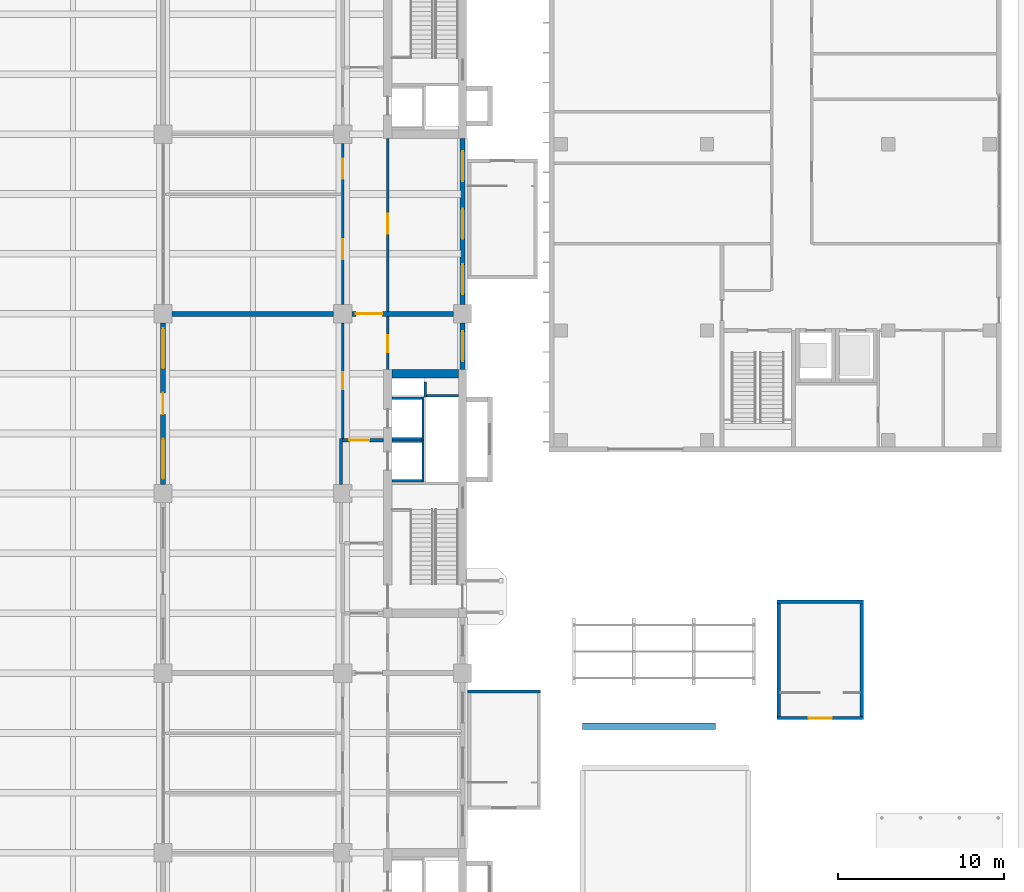
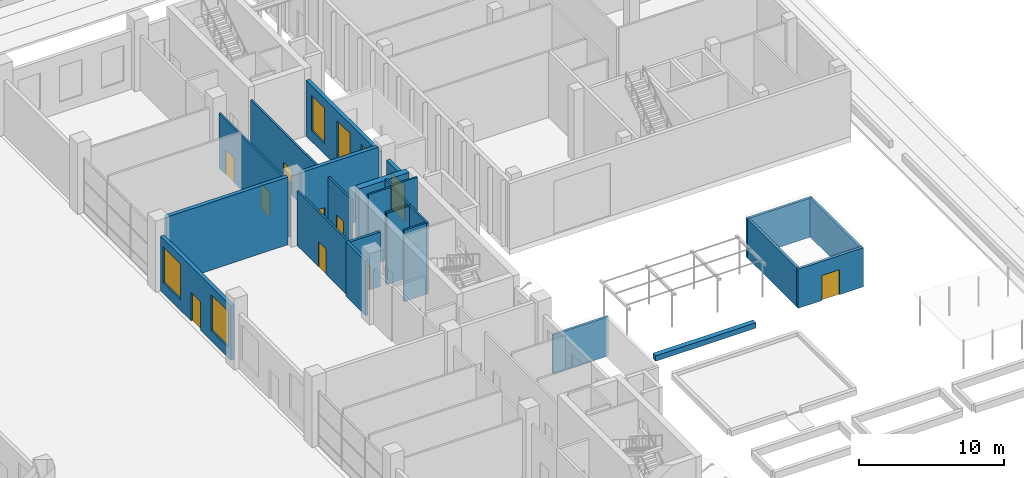
# One storey, part 53 of 71: 26 walls, 9 doors, 6 windows, 15 openings.
"""IFC4 building model written with IfcOpenShell, lengths in metres."""

from ifc_helpers import new_model, si_unit, direction, frame, frame_2d, origin, place, context, subcontext, project, spatial, rectangle, extrude, material, layer, layer_set, type_object, element, fill, save


model = new_model("IFC4")

# Units and contexts
model_context = context("Model", 3, precision=1e-05, world=origin(), true_north=direction((0.0, 1.0)))
body_context = subcontext(model_context, "Body", "Model", "MODEL_VIEW")
ifc_project = project(units=[si_unit("LENGTHUNIT", "METRE"), si_unit("AREAUNIT", "SQUARE_METRE"), si_unit("VOLUMEUNIT", "CUBIC_METRE"), si_unit("PLANEANGLEUNIT", "RADIAN"), si_unit("MASSUNIT", "GRAM", prefix="KILO")], contexts=[model_context])

# Site, building, storey
site_placement = place(None, origin())
site = spatial("IfcSite", under=ifc_project, at=site_placement, CompositionType="ELEMENT")
building_placement = place(site_placement, origin())
building = spatial("IfcBuilding", under=site, at=building_placement, Name="Basin Gate Institute", CompositionType="ELEMENT")
storey_placement = place(building_placement, origin())
storey = spatial("IfcBuildingStorey", under=building, at=storey_placement, Name="L00", CompositionType="ELEMENT", Elevation=0.0)

# Wall, openings, door, windows
ifc_material_1 = material(Name="Fire-resisting board wall assembly")
ifc_layer_1 = layer(ifc_material_1, 0.300048828125)
ifc_layer_set_1 = layer_set([ifc_layer_1], Name="Atrium enclosure wall EW4")
wall_type_1 = type_object("IfcWallType", Name="Atrium enclosure wall EW4", PredefinedType="STANDARD", material=ifc_layer_set_1)
wall_1_placement = place(storey_placement, frame((100.800048828125, 68.050048828125, 0.0), z_axis=(0.0, 0.0, 1.0), x_axis=(0.0, 1.0, 0.0)))
wall_1 = element("IfcWall", 1, at=wall_1_placement, inside=storey, type_object=wall_type_1, material=ifc_layer_set_1, Name="Atrium enclosure wall E wing bay 4 L00", PredefinedType="STANDARD", context=body_context, shape_type="SweptSolid", body=[
    extrude(rectangle(XDim=9.699951171875, YDim=0.300048828125, at=frame_2d((4.85009765625, 0.0))), origin(), (0.0, 0.0, 1.0), 4.60009765625),
])
opening_1_placement = place(wall_1_placement, frame((0.324951171875, 0.0, 0.89990234375)))
opening_1 = element("IfcOpeningElement", 2, at=opening_1_placement, cuts=wall_1, Name="Opening WN5", PredefinedType="OPENING", context=body_context, shape_type="SweptSolid", body=[
    extrude(rectangle(XDim=2.39990234375, YDim=3.0, at=frame_2d((1.199951171875, 1.5))), frame((0.0, 0.16015625, 0.0), z_axis=(0.0, -1.0, 0.0), x_axis=(1.0, 0.0, 0.0)), (0.0, 0.0, 1.0), 0.320068359375),
])
opening_2_placement = place(wall_1_placement, frame((6.97509765625, 0.0, 0.89990234375)))
opening_2 = element("IfcOpeningElement", 3, at=opening_2_placement, cuts=wall_1, Name="Opening WN5", PredefinedType="OPENING", context=body_context, shape_type="SweptSolid", body=[
    extrude(rectangle(XDim=2.39990234375, YDim=3.0, at=frame_2d((1.199951171875, 1.5))), frame((0.0, 0.16015625, 0.0), z_axis=(0.0, -1.0, 0.0), x_axis=(1.0, 0.0, 0.0)), (0.0, 0.0, 1.0), 0.320068359375),
])
opening_3_placement = place(wall_1_placement, frame((4.199951171875, 0.0, 0.0)))
opening_3 = element("IfcOpeningElement", 4, at=opening_3_placement, cuts=wall_1, Name="Opening ED104", PredefinedType="OPENING", context=body_context, shape_type="SweptSolid", body=[
    extrude(rectangle(XDim=1.300048828125, YDim=2.39990234375, at=frame_2d((0.64990234375, 1.199951171875))), frame((0.0, 0.16015625, 0.0), z_axis=(0.0, -1.0, 0.0), x_axis=(1.0, 0.0, 0.0)), (0.0, 0.0, 1.0), 0.320068359375),
])
ifc_material_2 = material(Name="Fire-resisting glazed door in aluminium frame", Category="aluminium")
door_type_1 = type_object("IfcDoorType", Name="Atrium fire door FD60A", OperationType="NOTDEFINED", PredefinedType="DOOR", material=ifc_material_2)
door_1_placement = place(opening_3_placement, frame((1.300048828125, 0.0, 0.0), z_axis=(0.0, 0.0, 1.0), x_axis=(-1.0, 0.0, 0.0)))
door_1 = element("IfcDoor", 5, at=door_1_placement, inside=storey, type_object=door_type_1, material=ifc_material_2, Name="Atrium fire door E wing bay 4", OperationType="SINGLE_SWING_RIGHT", OverallHeight=2.39990234375, OverallWidth=1.300048828125, PredefinedType="DOOR", context=body_context, shape_type="SweptSolid", body=[
    extrude(rectangle(XDim=1.300048828125, YDim=2.39990234375, at=frame_2d((0.64990234375, 1.199951171875))), frame((0.0, 0.02490234375, 0.0), z_axis=(0.0, -1.0, 0.0), x_axis=(1.0, 0.0, 0.0)), (0.0, 0.0, 1.0), 0.050048828125),
])
fill(opening_3, door_1)
ifc_material_3 = material(Name="Fire-resistant glazing in steel-free frame", Category="steel")
window_type_1 = type_object("IfcWindowType", Name="Fire-rated fixed window WN5", PartitioningType="SINGLE_PANEL", PredefinedType="WINDOW", material=ifc_material_3)
window_1_placement = place(opening_1_placement, origin())
window_1 = element("IfcWindow", 6, at=window_1_placement, inside=storey, type_object=window_type_1, material=ifc_material_3, Name="Fire-rated fixed window E wing bay 4 L00", OverallHeight=3.0, OverallWidth=2.39990234375, PartitioningType="SINGLE_PANEL", PredefinedType="WINDOW", context=body_context, shape_type="SweptSolid", body=[
    extrude(rectangle(XDim=2.39990234375, YDim=3.0, at=frame_2d((1.199951171875, 1.5))), frame((0.0, 0.030029296875, 0.0), z_axis=(0.0, -1.0, 0.0), x_axis=(1.0, 0.0, 0.0)), (0.0, 0.0, 1.0), 0.06005859375),
])
fill(opening_1, window_1)
window_2_placement = place(opening_2_placement, origin())
window_2 = element("IfcWindow", 7, at=window_2_placement, inside=storey, type_object=window_type_1, material=ifc_material_3, Name="Fire-rated fixed window E wing bay 4 L00", OverallHeight=3.0, OverallWidth=2.39990234375, PartitioningType="SINGLE_PANEL", PredefinedType="WINDOW", context=body_context, shape_type="SweptSolid", body=[
    extrude(rectangle(XDim=2.39990234375, YDim=3.0, at=frame_2d((1.199951171875, 1.5))), frame((0.0, 0.030029296875, 0.0), z_axis=(0.0, -1.0, 0.0), x_axis=(1.0, 0.0, 0.0)), (0.0, 0.0, 1.0), 0.06005859375),
])
fill(opening_2, window_2)

# Wall, opening, door
ifc_material_4 = material(Name="Fire-rated masonry", Category="masonry")
ifc_layer_2 = layer(ifc_material_4, 0.199951171875)
ifc_layer_set_2 = layer_set([ifc_layer_2], Name="Enclosure wall PW2 200 EI 60")
wall_type_2 = type_object("IfcWallType", Name="Enclosure wall PW2 200 EI 60", PredefinedType="PARTITIONING", material=ifc_layer_set_2)
wall_2_placement = place(storey_placement, frame((114.050048828125, 70.699951171875, 0.0), z_axis=(0.0, 0.0, 1.0), x_axis=(-1.0, 0.0, 0.0)))
wall_2 = element("IfcWall", 8, at=wall_2_placement, inside=storey, type_object=wall_type_2, material=ifc_layer_set_2, Name="Emergency lift lobby wall PW2 L00", PredefinedType="PARTITIONING", context=body_context, shape_type="SweptSolid", body=[
    extrude(rectangle(XDim=2.449951171875, YDim=0.199951171875, at=frame_2d((1.22509765625, 0.0))), origin(), (0.0, 0.0, 1.0), 4.60009765625),
])
opening_4_placement = place(wall_2_placement, frame((0.85009765625, 0.0, 0.0)))
opening_4 = element("IfcOpeningElement", 9, at=opening_4_placement, cuts=wall_2, Name="Opening DR015", PredefinedType="OPENING", context=body_context, shape_type="SweptSolid", body=[
    extrude(rectangle(XDim=1.199951171875, YDim=2.10009765625, at=frame_2d((0.60009765625, 1.050048828125))), frame((0.0, 0.10986328125, 0.0), z_axis=(0.0, -1.0, 0.0), x_axis=(1.0, 0.0, 0.0)), (0.0, 0.0, 1.0), 0.219970703125),
])
ifc_material_5 = material(Name="Steel fire door", Category="steel")
door_type_2 = type_object("IfcDoorType", Name="FD60 Emergency lift lobby door D9", OperationType="NOTDEFINED", PredefinedType="DOOR", material=ifc_material_5)
door_2_placement = place(opening_4_placement, origin())
door_2 = element("IfcDoor", 10, at=door_2_placement, inside=storey, type_object=door_type_2, material=ifc_material_5, Name="Emergency lift lobby door LF2 L00", OperationType="SINGLE_SWING_RIGHT", OverallHeight=2.10009765625, OverallWidth=1.199951171875, PredefinedType="DOOR", context=body_context, shape_type="SweptSolid", body=[
    extrude(rectangle(XDim=1.199951171875, YDim=2.10009765625, at=frame_2d((0.60009765625, 1.050048828125))), frame((0.0, 0.02490234375, 0.0), z_axis=(0.0, -1.0, 0.0), x_axis=(1.0, 0.0, 0.0)), (0.0, 0.0, 1.0), 0.050048828125),
])
fill(opening_4, door_2)

# Wall
wall_3_placement = place(storey_placement, frame((111.5, 68.050048828125, 0.0), z_axis=(0.0, 0.0, 1.0), x_axis=(0.0, 1.0, 0.0)))
element("IfcWall", 11, at=wall_3_placement, inside=storey, type_object=wall_type_2, material=ifc_layer_set_2, Name="Emergency lift lobby wall PW2 L00", PredefinedType="PARTITIONING", context=body_context, shape_type="SweptSolid", body=[
    extrude(rectangle(XDim=2.75, YDim=0.199951171875, at=frame_2d((1.375, 0.0))), origin(), (0.0, 0.0, 1.0), 4.60009765625),
])

# Wall, opening, window
ifc_material_6 = material(Name="Aluminium-faced insulated panel wall", Category="aluminium")
ifc_layer_3 = layer(ifc_material_6, 0.300048828125)
ifc_layer_set_3 = layer_set([ifc_layer_3], Name="External wall EW1 EI 120")
wall_type_3 = type_object("IfcWallType", Name="External wall EW1 EI 120", PredefinedType="STANDARD", material=ifc_layer_set_3)
wall_4_placement = place(storey_placement, frame((118.800048828125, 74.949951171875, 0.0), z_axis=(0.0, 0.0, 1.0), x_axis=(0.0, 1.0, 0.0)))
wall_4 = element("IfcWall", 12, at=wall_4_placement, inside=storey, type_object=wall_type_3, material=ifc_layer_set_3, Name="External wall E facade L00 3", PredefinedType="STANDARD", context=body_context, shape_type="SweptSolid", body=[
    extrude(rectangle(XDim=2.800048828125, YDim=0.300048828125, at=frame_2d((1.39990234375, 0.0))), origin(), (0.0, 0.0, 1.0), 4.699951171875),
])
opening_5_placement = place(wall_4_placement, frame((0.5, 0.0, 0.89990234375)))
opening_5 = element("IfcOpeningElement", 13, at=opening_5_placement, cuts=wall_4, Name="Opening WN2", PredefinedType="OPENING", context=body_context, shape_type="SweptSolid", body=[
    extrude(rectangle(XDim=1.800048828125, YDim=3.0, at=frame_2d((0.89990234375, 1.5))), frame((0.0, 0.16015625, 0.0), z_axis=(0.0, -1.0, 0.0), x_axis=(1.0, 0.0, 0.0)), (0.0, 0.0, 1.0), 0.320068359375),
])
ifc_material_7 = material(Name="Aluminium-framed double glazing", Category="aluminium")
window_type_2 = type_object("IfcWindowType", Name="Podium window WN2", PartitioningType="SINGLE_PANEL", PredefinedType="WINDOW", material=ifc_material_7)
window_3_placement = place(opening_5_placement, origin())
window_3 = element("IfcWindow", 14, at=window_3_placement, inside=storey, type_object=window_type_2, material=ifc_material_7, Name="Podium window E facade L00 bay 12", OverallHeight=3.0, OverallWidth=1.800048828125, PartitioningType="SINGLE_PANEL", PredefinedType="WINDOW", context=body_context, shape_type="SweptSolid", body=[
    extrude(rectangle(XDim=1.800048828125, YDim=3.0, at=frame_2d((0.89990234375, 1.5))), frame((0.0, 0.030029296875, 0.0), z_axis=(0.0, -1.0, 0.0), x_axis=(1.0, 0.0, 0.0)), (0.0, 0.0, 1.0), 0.06005859375),
])
fill(opening_5, window_3)

# Wall, openings, windows
wall_5_placement = place(storey_placement, frame((118.800048828125, 78.85009765625, 0.0), z_axis=(0.0, 0.0, 1.0), x_axis=(0.0, 1.0, 0.0)))
wall_5 = element("IfcWall", 15, at=wall_5_placement, inside=storey, type_object=wall_type_3, material=ifc_layer_set_3, Name="External wall E facade L00 4", PredefinedType="STANDARD", context=body_context, shape_type="SweptSolid", body=[
    extrude(rectangle(XDim=10.0, YDim=0.300048828125, at=frame_2d((5.0, 0.0))), origin(), (0.0, 0.0, 1.0), 4.699951171875),
])
opening_6_placement = place(wall_5_placement, frame((0.625, 0.0, 0.89990234375)))
opening_6 = element("IfcOpeningElement", 16, at=opening_6_placement, cuts=wall_5, Name="Opening WN2", PredefinedType="OPENING", context=body_context, shape_type="SweptSolid", body=[
    extrude(rectangle(XDim=1.800048828125, YDim=3.0, at=frame_2d((0.89990234375, 1.5))), frame((0.0, 0.16015625, 0.0), z_axis=(0.0, -1.0, 0.0), x_axis=(1.0, 0.0, 0.0)), (0.0, 0.0, 1.0), 0.320068359375),
])
opening_7_placement = place(wall_5_placement, frame((3.949951171875, 0.0, 0.89990234375)))
opening_7 = element("IfcOpeningElement", 17, at=opening_7_placement, cuts=wall_5, Name="Opening WN2", PredefinedType="OPENING", context=body_context, shape_type="SweptSolid", body=[
    extrude(rectangle(XDim=1.800048828125, YDim=3.0, at=frame_2d((0.89990234375, 1.5))), frame((0.0, 0.16015625, 0.0), z_axis=(0.0, -1.0, 0.0), x_axis=(1.0, 0.0, 0.0)), (0.0, 0.0, 1.0), 0.320068359375),
])
opening_8_placement = place(wall_5_placement, frame((7.425048828125, 0.0, 0.89990234375)))
opening_8 = element("IfcOpeningElement", 18, at=opening_8_placement, cuts=wall_5, Name="Opening WN2", PredefinedType="OPENING", context=body_context, shape_type="SweptSolid", body=[
    extrude(rectangle(XDim=1.800048828125, YDim=3.0, at=frame_2d((0.89990234375, 1.5))), frame((0.0, 0.16015625, 0.0), z_axis=(0.0, -1.0, 0.0), x_axis=(1.0, 0.0, 0.0)), (0.0, 0.0, 1.0), 0.320068359375),
])
window_4_placement = place(opening_6_placement, origin())
window_4 = element("IfcWindow", 19, at=window_4_placement, inside=storey, type_object=window_type_2, material=ifc_material_7, Name="Podium window E facade L00 bay 13", OverallHeight=3.0, OverallWidth=1.800048828125, PartitioningType="SINGLE_PANEL", PredefinedType="WINDOW", context=body_context, shape_type="SweptSolid", body=[
    extrude(rectangle(XDim=1.800048828125, YDim=3.0, at=frame_2d((0.89990234375, 1.5))), frame((0.0, 0.030029296875, 0.0), z_axis=(0.0, -1.0, 0.0), x_axis=(1.0, 0.0, 0.0)), (0.0, 0.0, 1.0), 0.06005859375),
])
fill(opening_6, window_4)
window_5_placement = place(opening_7_placement, origin())
window_5 = element("IfcWindow", 20, at=window_5_placement, inside=storey, type_object=window_type_2, material=ifc_material_7, Name="Podium window E facade L00 bay 14", OverallHeight=3.0, OverallWidth=1.800048828125, PartitioningType="SINGLE_PANEL", PredefinedType="WINDOW", context=body_context, shape_type="SweptSolid", body=[
    extrude(rectangle(XDim=1.800048828125, YDim=3.0, at=frame_2d((0.89990234375, 1.5))), frame((0.0, 0.030029296875, 0.0), z_axis=(0.0, -1.0, 0.0), x_axis=(1.0, 0.0, 0.0)), (0.0, 0.0, 1.0), 0.06005859375),
])
fill(opening_7, window_5)
window_6_placement = place(opening_8_placement, origin())
window_6 = element("IfcWindow", 21, at=window_6_placement, inside=storey, type_object=window_type_2, material=ifc_material_7, Name="Podium window E facade L00 bay 15", OverallHeight=3.0, OverallWidth=1.800048828125, PartitioningType="SINGLE_PANEL", PredefinedType="WINDOW", context=body_context, shape_type="SweptSolid", body=[
    extrude(rectangle(XDim=1.800048828125, YDim=3.0, at=frame_2d((0.89990234375, 1.5))), frame((0.0, 0.030029296875, 0.0), z_axis=(0.0, -1.0, 0.0), x_axis=(1.0, 0.0, 0.0)), (0.0, 0.0, 1.0), 0.06005859375),
])
fill(opening_8, window_6)

# Wall, opening, door
ifc_material_8 = material(Name="Gypsum board on steel stud", Category="steel")
ifc_layer_4 = layer(ifc_material_8, 0.14990234375)
ifc_layer_set_4 = layer_set([ifc_layer_4], Name="Gypsum board on steel stud")
wall_type_4 = type_object("IfcWallType", Name="Partition PW1 150 EI 60", PredefinedType="PARTITIONING", material=ifc_layer_set_4)
wall_6_placement = place(storey_placement, frame((114.300048828125, 74.949951171875, 0.0), z_axis=(0.0, 0.0, 1.0), x_axis=(0.0, 1.0, 0.0)))
wall_6 = element("IfcWall", 22, at=wall_6_placement, inside=storey, type_object=wall_type_4, material=ifc_layer_set_4, Name="Corridor wall PW1 L00", PredefinedType="PARTITIONING", context=body_context, shape_type="SweptSolid", body=[
    extrude(rectangle(XDim=3.199951171875, YDim=0.14990234375, at=frame_2d((1.60009765625, 0.0))), origin(), (0.0, 0.0, 1.0), 4.60009765625),
])
opening_9_placement = place(wall_6_placement, frame((1.050048828125, 0.0, 0.0)))
opening_9 = element("IfcOpeningElement", 23, at=opening_9_placement, cuts=wall_6, Name="Opening DR012", PredefinedType="OPENING", context=body_context, shape_type="SweptSolid", body=[
    extrude(rectangle(XDim=1.0, YDim=2.10009765625, at=frame_2d((0.5, 1.050048828125))), frame((0.0, 0.0849609375, 0.0), z_axis=(0.0, -1.0, 0.0), x_axis=(1.0, 0.0, 0.0)), (0.0, 0.0, 1.0), 0.169921875),
])
ifc_material_9 = material(Name="Steel fire door", Category="steel")
door_type_3 = type_object("IfcDoorType", Name="FD30 Store door D4", OperationType="NOTDEFINED", PredefinedType="DOOR", material=ifc_material_9)
door_3_placement = place(opening_9_placement, frame((1.0, 0.0, 0.0), z_axis=(0.0, 0.0, 1.0), x_axis=(-1.0, 0.0, 0.0)))
door_3 = element("IfcDoor", 24, at=door_3_placement, inside=storey, type_object=door_type_3, material=ifc_material_9, Name="Door to Tea Point L00", OperationType="SINGLE_SWING_RIGHT", OverallHeight=2.10009765625, OverallWidth=1.0, PredefinedType="DOOR", context=body_context, shape_type="SweptSolid", body=[
    extrude(rectangle(XDim=1.0, YDim=2.10009765625, at=frame_2d((0.5, 1.050048828125))), frame((0.0, 0.02490234375, 0.0), z_axis=(0.0, -1.0, 0.0), x_axis=(1.0, 0.0, 0.0)), (0.0, 0.0, 1.0), 0.050048828125),
])
fill(opening_9, door_3)

wall_7_placement = place(storey_placement, frame((111.60009765625, 70.800048828125, 0.0), z_axis=(0.0, 0.0, 1.0), x_axis=(0.0, 1.0, 0.0)))
wall_7 = element("IfcWall", 25, at=wall_7_placement, inside=storey, type_object=wall_type_4, material=ifc_layer_set_4, Name="Laboratory corridor wall PW1 L00", PredefinedType="PARTITIONING", context=body_context, shape_type="SweptSolid", body=[
    extrude(rectangle(XDim=6.949951171875, YDim=0.14990234375, at=frame_2d((3.47509765625, 0.0))), origin(), (0.0, 0.0, 1.0), 4.60009765625),
])
opening_10_placement = place(wall_7_placement, frame((2.97509765625, 0.0, 0.0)))
opening_10 = element("IfcOpeningElement", 26, at=opening_10_placement, cuts=wall_7, Name="Opening DR007", PredefinedType="OPENING", context=body_context, shape_type="SweptSolid", body=[
    extrude(rectangle(XDim=1.0, YDim=2.10009765625, at=frame_2d((0.5, 1.050048828125))), frame((0.0, 0.0849609375, 0.0), z_axis=(0.0, -1.0, 0.0), x_axis=(1.0, 0.0, 0.0)), (0.0, 0.0, 1.0), 0.169921875),
])
door_4_placement = place(opening_10_placement, origin())
door_4 = element("IfcDoor", 27, at=door_4_placement, inside=storey, type_object=door_type_3, material=ifc_material_9, Name="Door to Goods Store 0069 L00", OperationType="SINGLE_SWING_LEFT", OverallHeight=2.10009765625, OverallWidth=1.0, PredefinedType="DOOR", context=body_context, shape_type="SweptSolid", body=[
    extrude(rectangle(XDim=1.0, YDim=2.10009765625, at=frame_2d((0.5, 1.050048828125))), frame((0.0, 0.02490234375, 0.0), z_axis=(0.0, -1.0, 0.0), x_axis=(1.0, 0.0, 0.0)), (0.0, 0.0, 1.0), 0.050048828125),
])
fill(opening_10, door_4)

# Wall, openings, doors
wall_8_placement = place(storey_placement, frame((111.60009765625, 78.85009765625, 0.0), z_axis=(0.0, 0.0, 1.0), x_axis=(0.0, 1.0, 0.0)))
wall_8 = element("IfcWall", 28, at=wall_8_placement, inside=storey, type_object=wall_type_4, material=ifc_layer_set_4, Name="Laboratory corridor wall PW1 L00", PredefinedType="PARTITIONING", context=body_context, shape_type="SweptSolid", body=[
    extrude(rectangle(XDim=9.699951171875, YDim=0.14990234375, at=frame_2d((4.85009765625, 0.0))), origin(), (0.0, 0.0, 1.0), 4.60009765625),
])
opening_11_placement = place(wall_8_placement, frame((2.72509765625, 0.0, 0.0)))
opening_11 = element("IfcOpeningElement", 29, at=opening_11_placement, cuts=wall_8, Name="Opening DR003", PredefinedType="OPENING", context=body_context, shape_type="SweptSolid", body=[
    extrude(rectangle(XDim=1.199951171875, YDim=2.10009765625, at=frame_2d((0.60009765625, 1.050048828125))), frame((0.0, 0.0849609375, 0.0), z_axis=(0.0, -1.0, 0.0), x_axis=(1.0, 0.0, 0.0)), (0.0, 0.0, 1.0), 0.169921875),
])
opening_12_placement = place(wall_8_placement, frame((7.574951171875, 0.0, 0.0)))
opening_12 = element("IfcOpeningElement", 30, at=opening_12_placement, cuts=wall_8, Name="Opening DR004", PredefinedType="OPENING", context=body_context, shape_type="SweptSolid", body=[
    extrude(rectangle(XDim=1.199951171875, YDim=2.10009765625, at=frame_2d((0.60009765625, 1.050048828125))), frame((0.0, 0.0849609375, 0.0), z_axis=(0.0, -1.0, 0.0), x_axis=(1.0, 0.0, 0.0)), (0.0, 0.0, 1.0), 0.169921875),
])
ifc_material_10 = material(Name="Timber fire door", Category="wood")
door_type_4 = type_object("IfcDoorType", Name="FD30 Laboratory door D2", OperationType="DOUBLE_DOOR_SINGLE_SWING", PredefinedType="DOOR", material=ifc_material_10)
door_5_placement = place(opening_11_placement, origin())
door_5 = element("IfcDoor", 31, at=door_5_placement, inside=storey, type_object=door_type_4, material=ifc_material_10, Name="Door to Dry Laboratory 0070 L00", OperationType="DOUBLE_DOOR_SINGLE_SWING", OverallHeight=2.10009765625, OverallWidth=1.199951171875, PredefinedType="DOOR", context=body_context, shape_type="SweptSolid", body=[
    extrude(rectangle(XDim=1.199951171875, YDim=2.10009765625, at=frame_2d((0.60009765625, 1.050048828125))), frame((0.0, 0.02490234375, 0.0), z_axis=(0.0, -1.0, 0.0), x_axis=(1.0, 0.0, 0.0)), (0.0, 0.0, 1.0), 0.050048828125),
])
fill(opening_11, door_5)
door_6_placement = place(opening_12_placement, origin())
door_6 = element("IfcDoor", 32, at=door_6_placement, inside=storey, type_object=door_type_4, material=ifc_material_10, Name="Door to Dry Laboratory 0071 L00", OperationType="DOUBLE_DOOR_SINGLE_SWING", OverallHeight=2.10009765625, OverallWidth=1.199951171875, PredefinedType="DOOR", context=body_context, shape_type="SweptSolid", body=[
    extrude(rectangle(XDim=1.199951171875, YDim=2.10009765625, at=frame_2d((0.60009765625, 1.050048828125))), frame((0.0, 0.02490234375, 0.0), z_axis=(0.0, -1.0, 0.0), x_axis=(1.0, 0.0, 0.0)), (0.0, 0.0, 1.0), 0.050048828125),
])
fill(opening_12, door_6)

# Wall, opening, door
ifc_material_11 = material(Name="Fire-rated masonry", Category="masonry")
ifc_layer_5 = layer(ifc_material_11, 0.14990234375)
ifc_layer_set_5 = layer_set([ifc_layer_5], Name="Partition PW5 150 EI 120")
wall_type_5 = type_object("IfcWallType", Name="Partition PW5 150 EI 120", PredefinedType="PARTITIONING", material=ifc_layer_set_5)
wall_9_placement = place(storey_placement, frame((114.300048828125, 78.449951171875, 0.0), z_axis=(0.0, 0.0, 1.0), x_axis=(0.0, 1.0, 0.0)))
wall_9 = element("IfcWall", 33, at=wall_9_placement, inside=storey, type_object=wall_type_5, material=ifc_layer_set_5, Name="Fire control room enclosure wall PW5 L00", PredefinedType="PARTITIONING", context=body_context, shape_type="SweptSolid", body=[
    extrude(rectangle(XDim=10.400146484375, YDim=0.14990234375, at=frame_2d((5.2001953125, 0.0))), origin(), (0.0, 0.0, 1.0), 4.60009765625),
])
opening_13_placement = place(wall_9_placement, frame((4.64990234375, 0.0, 0.0)))
opening_13 = element("IfcOpeningElement", 34, at=opening_13_placement, cuts=wall_9, Name="Opening DR006", PredefinedType="OPENING", context=body_context, shape_type="SweptSolid", body=[
    extrude(rectangle(XDim=1.199951171875, YDim=2.10009765625, at=frame_2d((0.60009765625, 1.050048828125))), frame((0.0, 0.0849609375, 0.0), z_axis=(0.0, -1.0, 0.0), x_axis=(1.0, 0.0, 0.0)), (0.0, 0.0, 1.0), 0.169921875),
])
ifc_material_12 = material(Name="Steel fire door", Category="steel")
door_type_5 = type_object("IfcDoorType", Name="FD120 Disaster-prevention centre door D11", OperationType="DOUBLE_DOOR_SINGLE_SWING", PredefinedType="DOOR", material=ifc_material_12)
door_7_placement = place(opening_13_placement, frame((1.199951171875, 0.0, 0.0), z_axis=(0.0, 0.0, 1.0), x_axis=(-1.0, 0.0, 0.0)))
door_7 = element("IfcDoor", 35, at=door_7_placement, inside=storey, type_object=door_type_5, material=ifc_material_12, Name="Door to Fire Control Room L00", OperationType="DOUBLE_DOOR_SINGLE_SWING", OverallHeight=2.10009765625, OverallWidth=1.199951171875, PredefinedType="DOOR", context=body_context, shape_type="SweptSolid", body=[
    extrude(rectangle(XDim=1.199951171875, YDim=2.10009765625, at=frame_2d((0.60009765625, 1.050048828125))), frame((0.0, 0.02490234375, 0.0), z_axis=(0.0, -1.0, 0.0), x_axis=(1.0, 0.0, 0.0)), (0.0, 0.0, 1.0), 0.050048828125),
])
fill(opening_13, door_7)

# Walls
ifc_material_13 = material(Name="Concrete 35 MPa", Category="concrete")
ifc_layer_6 = layer(ifc_material_13, 0.39990234375)
ifc_layer_set_6 = layer_set([ifc_layer_6], Name="Concrete 35 MPa")
wall_type_6 = type_object("IfcWallType", Name="Seating wall LW1", PredefinedType="SOLIDWALL", material=ifc_layer_set_6)
wall_10_placement = place(storey_placement, frame((126.0, 53.5, 0.0), z_axis=(0.0, 0.0, 1.0), x_axis=(1.0, 0.0, 0.0)))
element("IfcWall", 36, at=wall_10_placement, inside=storey, type_object=wall_type_6, material=ifc_layer_set_6, Name="Service Court seating wall 1", PredefinedType="SOLIDWALL", context=body_context, shape_type="SweptSolid", body=[
    extrude(rectangle(XDim=8.0, YDim=0.39990234375, at=frame_2d((4.0, 0.0))), origin(), (0.0, 0.0, 1.0), 0.449951171875),
])
ifc_material_14 = material(Name="Concrete 35 MPa", Category="concrete")
ifc_layer_7 = layer(ifc_material_14, 0.199951171875)
ifc_layer_set_7 = layer_set([ifc_layer_7], Name="Concrete 35 MPa")
wall_type_7 = type_object("IfcWallType", Name="Stair head house wall 200", PredefinedType="SOLIDWALL", material=ifc_layer_set_7)
wall_11_placement = place(storey_placement, frame((119.10009765625, 55.60009765625, 0.0), z_axis=(0.0, 0.0, 1.0), x_axis=(1.0, 0.0, 0.0)))
element("IfcWall", 37, at=wall_11_placement, inside=storey, type_object=wall_type_7, material=ifc_layer_set_7, Name="Stair head house BS3 wall", PredefinedType="SOLIDWALL", context=body_context, shape_type="SweptSolid", body=[
    extrude(rectangle(XDim=4.39990234375, YDim=0.199951171875, at=frame_2d((2.199951171875, 0.0))), origin(), (0.0, 0.0, 1.0), 3.300048828125),
])

# Wall, opening, door
wall_12_placement = place(storey_placement, frame((137.699951171875, 54.0, 0.0), z_axis=(0.0, 0.0, 1.0), x_axis=(1.0, 0.0, 0.0)))
wall_12 = element("IfcWall", 38, at=wall_12_placement, inside=storey, type_object=wall_type_7, material=ifc_layer_set_7, Name="Stair head house BS6 wall", PredefinedType="SOLIDWALL", context=body_context, shape_type="SweptSolid", body=[
    extrude(rectangle(XDim=5.199951171875, YDim=0.199951171875, at=frame_2d((2.60009765625, 0.0))), origin(), (0.0, 0.0, 1.0), 3.300048828125),
])
opening_14_placement = place(wall_12_placement, frame((1.89990234375, 0.0, 0.0)))
opening_14 = element("IfcOpeningElement", 39, at=opening_14_placement, cuts=wall_12, Name="Opening DB906", PredefinedType="OPENING", context=body_context, shape_type="SweptSolid", body=[
    extrude(rectangle(XDim=1.39990234375, YDim=2.10009765625, at=frame_2d((0.699951171875, 1.050048828125))), frame((0.0, 0.10986328125, 0.0), z_axis=(0.0, -1.0, 0.0), x_axis=(1.0, 0.0, 0.0)), (0.0, 0.0, 1.0), 0.219970703125),
])
ifc_material_15 = material(Name="Steel door set", Category="steel")
door_type_6 = type_object("IfcDoorType", Name="Final exit door 1400x2100", OperationType="DOUBLE_DOOR_SINGLE_SWING", PredefinedType="DOOR", material=ifc_material_15)
door_8_placement = place(opening_14_placement, frame((1.39990234375, 0.0, 0.0), z_axis=(0.0, 0.0, 1.0), x_axis=(-1.0, 0.0, 0.0)))
door_8 = element("IfcDoor", 40, at=door_8_placement, inside=storey, type_object=door_type_6, material=ifc_material_15, Name="Final exit BS6", OperationType="DOUBLE_DOOR_SINGLE_SWING", OverallHeight=2.10009765625, OverallWidth=1.39990234375, PredefinedType="DOOR", context=body_context, shape_type="SweptSolid", body=[
    extrude(rectangle(XDim=1.39990234375, YDim=2.10009765625, at=frame_2d((0.699951171875, 1.050048828125))), frame((0.0, 0.02490234375, 0.0), z_axis=(0.0, -1.0, 0.0), x_axis=(1.0, 0.0, 0.0)), (0.0, 0.0, 1.0), 0.050048828125),
])
fill(opening_14, door_8)

# Walls
wall_13_placement = place(storey_placement, frame((137.699951171875, 61.0, 0.0), z_axis=(0.0, 0.0, 1.0), x_axis=(1.0, 0.0, 0.0)))
element("IfcWall", 41, at=wall_13_placement, inside=storey, type_object=wall_type_7, material=ifc_layer_set_7, Name="Stair head house BS6 wall", PredefinedType="SOLIDWALL", context=body_context, shape_type="SweptSolid", body=[
    extrude(rectangle(XDim=5.199951171875, YDim=0.199951171875, at=frame_2d((2.60009765625, 0.0))), origin(), (0.0, 0.0, 1.0), 3.300048828125),
])
for number, where, z_axis, x_axis, name in (
    (42, (137.800048828125, 54.10009765625, 0.0), (0.0, 0.0, 1.0), (0.0, 1.0, 0.0), "Stair head house BS6 wall"),
    (43, (142.800048828125, 54.10009765625, 0.0), (0.0, 0.0, 1.0), (0.0, 1.0, 0.0), "Stair head house BS6 wall"),
):
    element("IfcWall", number, at=place(storey_placement, frame(where, z_axis=z_axis, x_axis=x_axis)), inside=storey, type_object=wall_type_7, material=ifc_layer_set_7, Name=name, PredefinedType="SOLIDWALL", context=body_context, shape_type="SweptSolid", body=[
        extrude(rectangle(XDim=6.7998046875, YDim=0.199951171875, at=frame_2d((3.39990234375, 0.0))), origin(), (0.0, 0.0, 1.0), 3.300048828125),
    ])
ifc_material_16 = material(Name="Concrete 40 MPa", Category="concrete")
ifc_layer_8 = layer(ifc_material_16, 0.14990234375)
ifc_layer_set_8 = layer_set([ifc_layer_8], Name="Concrete 40 MPa")
wall_type_8 = type_object("IfcWallType", Name="Wall LS1 lift shaft enclosure R180", PredefinedType="SOLIDWALL", material=ifc_layer_set_8)
wall_14_placement = place(storey_placement, frame((116.425048828125, 68.199951171875, 0.0), z_axis=(0.0, 0.0, 1.0), x_axis=(0.0, 1.0, 0.0)))
element("IfcWall", 44, at=wall_14_placement, inside=storey, type_object=wall_type_8, material=ifc_layer_set_8, Name="Lift shaft enclosure LF2 L00 UL", PredefinedType="SOLIDWALL", context=body_context, shape_type="SweptSolid", body=[
    extrude(rectangle(XDim=2.5, YDim=0.14990234375, at=frame_2d((1.25, 0.0))), origin(), (0.0, 0.0, 1.0), 6.0),
])
for number, where, z_axis, x_axis, name in (
    (45, (116.35009765625, 68.27490234375, 0.0), (0.0, 0.0, 1.0), (-1.0, 0.0, 0.0), "Lift shaft enclosure LF2 L00 RL"),
    (46, (116.35009765625, 70.625, 0.0), (0.0, 0.0, 1.0), (-1.0, 0.0, 0.0), "Lift shaft enclosure LF2 L00 RH"),
):
    element("IfcWall", number, at=place(storey_placement, frame(where, z_axis=z_axis, x_axis=x_axis)), inside=storey, type_object=wall_type_8, material=ifc_layer_set_8, Name=name, PredefinedType="SOLIDWALL", context=body_context, shape_type="SweptSolid", body=[
        extrude(rectangle(XDim=1.800048828125, YDim=0.14990234375, at=frame_2d((0.89990234375, 0.0))), origin(), (0.0, 0.0, 1.0), 6.0),
    ])
wall_15_placement = place(storey_placement, frame((116.425048828125, 70.699951171875, 0.0), z_axis=(0.0, 0.0, 1.0), x_axis=(0.0, 1.0, 0.0)))
element("IfcWall", 47, at=wall_15_placement, inside=storey, type_object=wall_type_8, material=ifc_layer_set_8, Name="Lift shaft enclosure LP5 L00 UL", PredefinedType="SOLIDWALL", context=body_context, shape_type="SweptSolid", body=[
    extrude(rectangle(XDim=2.60009765625, YDim=0.14990234375, at=frame_2d((1.300048828125, 0.0))), origin(), (0.0, 0.0, 1.0), 6.0),
])
for number, where, z_axis, x_axis, name in (
    (48, (116.35009765625, 70.77490234375, 0.0), (0.0, 0.0, 1.0), (-1.0, 0.0, 0.0), "Lift shaft enclosure LP5 L00 RL"),
    (49, (116.35009765625, 73.22509765625, 0.0), (0.0, 0.0, 1.0), (-1.0, 0.0, 0.0), "Lift shaft enclosure LP5 L00 RH"),
):
    element("IfcWall", number, at=place(storey_placement, frame(where, z_axis=z_axis, x_axis=x_axis)), inside=storey, type_object=wall_type_8, material=ifc_layer_set_8, Name=name, PredefinedType="SOLIDWALL", context=body_context, shape_type="SweptSolid", body=[
        extrude(rectangle(XDim=1.800048828125, YDim=0.14990234375, at=frame_2d((0.89990234375, 0.0))), origin(), (0.0, 0.0, 1.0), 6.0),
    ])
ifc_material_17 = material(Name="Concrete 40 MPa", Category="concrete")
ifc_layer_9 = layer(ifc_material_17, 0.14990234375)
ifc_layer_set_9 = layer_set([ifc_layer_9], Name="Concrete 40 MPa")
wall_type_9 = type_object("IfcWallType", Name="Wall RS1 riser shaft enclosure R180", PredefinedType="SOLIDWALL", material=ifc_layer_set_9)
wall_16_placement = place(storey_placement, frame((118.550048828125, 73.375, 0.0), z_axis=(0.0, 0.0, 1.0), x_axis=(-1.0, 0.0, 0.0)))
element("IfcWall", 50, at=wall_16_placement, inside=storey, type_object=wall_type_9, material=ifc_layer_set_9, Name="Riser shaft enclosure EM L00 N", PredefinedType="SOLIDWALL", context=body_context, shape_type="SweptSolid", body=[
    extrude(rectangle(XDim=1.900146484375, YDim=0.14990234375, at=frame_2d((0.9501953125, 0.0))), origin(), (0.0, 0.0, 1.0), 6.0),
])
wall_17_placement = place(storey_placement, frame((116.574951171875, 73.300048828125, 0.0), z_axis=(0.0, 0.0, 1.0), x_axis=(0.0, 1.0, 0.0)))
element("IfcWall", 51, at=wall_17_placement, inside=storey, type_object=wall_type_9, material=ifc_layer_set_9, Name="Riser shaft enclosure EM L00 W", PredefinedType="SOLIDWALL", context=body_context, shape_type="SweptSolid", body=[
    extrude(rectangle(XDim=0.89990234375, YDim=0.14990234375, at=frame_2d((0.449951171875, 0.0))), origin(), (0.0, 0.0, 1.0), 6.0),
])
ifc_material_18 = material(Name="Concrete 60 MPa", Category="concrete")
ifc_layer_10 = layer(ifc_material_18, 0.5)
ifc_layer_set_10 = layer_set([ifc_layer_10], Name="Concrete 60 MPa")
wall_type_10 = type_object("IfcWallType", Name="Wall SW1 R180", PredefinedType="SHEAR", material=ifc_layer_set_10)
wall_18_placement = place(storey_placement, frame((118.550048828125, 74.699951171875, 0.0), z_axis=(0.0, 0.0, 1.0), x_axis=(-1.0, 0.0, 0.0)))
element("IfcWall", 52, at=wall_18_placement, inside=storey, type_object=wall_type_10, material=ifc_layer_set_10, Name="WALL/L00/EM/N", PredefinedType="SHEAR", context=body_context, shape_type="SweptSolid", body=[
    extrude(rectangle(XDim=4.0, YDim=0.5, at=frame_2d((2.0, 0.0))), origin(), (0.0, 0.0, 1.0), 5.699951171875),
])

# Wall, opening, door
ifc_material_19 = material(Name="Concrete 50 MPa", Category="concrete")
ifc_layer_11 = layer(ifc_material_19, 0.300048828125)
ifc_layer_set_11 = layer_set([ifc_layer_11], Name="Concrete 50 MPa")
wall_type_11 = type_object("IfcWallType", Name="Wall XW1 R180", PredefinedType="SHEAR", material=ifc_layer_set_11)
wall_19_placement = place(storey_placement, frame((118.25, 78.300048828125, 0.0), z_axis=(0.0, 0.0, 1.0), x_axis=(-1.0, 0.0, 0.0)))
wall_19 = element("IfcWall", 53, at=wall_19_placement, inside=storey, type_object=wall_type_11, material=ifc_layer_set_11, Name="WALL/L00/EXE/1", PredefinedType="SHEAR", context=body_context, shape_type="SweptSolid", body=[
    extrude(rectangle(XDim=6.10009765625, YDim=0.300048828125, at=frame_2d((3.050048828125, 0.0))), origin(), (0.0, 0.0, 1.0), 5.699951171875),
])
opening_15_placement = place(wall_19_placement, frame((4.262451171875, 0.0, 0.0)))
opening_15 = element("IfcOpeningElement", 54, at=opening_15_placement, cuts=wall_19, Name="Opening DR021", PredefinedType="OPENING", context=body_context, shape_type="SweptSolid", body=[
    extrude(rectangle(XDim=1.60009765625, YDim=2.10009765625, at=frame_2d((0.800048828125, 1.050048828125))), frame((0.0, 0.16015625, 0.0), z_axis=(0.0, -1.0, 0.0), x_axis=(1.0, 0.0, 0.0)), (0.0, 0.0, 1.0), 0.320068359375),
])
ifc_material_20 = material(Name="Steel fire door", Category="steel")
door_type_7 = type_object("IfcDoorType", Name="FD60 Compartment door pair D7", OperationType="DOUBLE_DOOR_SINGLE_SWING", PredefinedType="DOOR", material=ifc_material_20)
door_9_placement = place(opening_15_placement, origin())
door_9 = element("IfcDoor", 55, at=door_9_placement, inside=storey, type_object=door_type_7, material=ifc_material_20, Name="Compartment door pair L00 E2 L00", OperationType="DOUBLE_DOOR_SINGLE_SWING", OverallHeight=2.10009765625, OverallWidth=1.60009765625, PredefinedType="DOOR", context=body_context, shape_type="SweptSolid", body=[
    extrude(rectangle(XDim=1.60009765625, YDim=2.10009765625, at=frame_2d((0.800048828125, 1.050048828125))), frame((0.0, 0.02490234375, 0.0), z_axis=(0.0, -1.0, 0.0), x_axis=(1.0, 0.0, 0.0)), (0.0, 0.0, 1.0), 0.050048828125),
])
fill(opening_15, door_9)

# Wall
wall_20_placement = place(storey_placement, frame((111.050048828125, 78.300048828125, 0.0), z_axis=(0.0, 0.0, 1.0), x_axis=(-1.0, 0.0, 0.0)))
element("IfcWall", 56, at=wall_20_placement, inside=storey, type_object=wall_type_11, material=ifc_layer_set_11, Name="WALL/L00/EXE/2", PredefinedType="SHEAR", context=body_context, shape_type="SweptSolid", body=[
    extrude(rectangle(XDim=9.699951171875, YDim=0.300048828125, at=frame_2d((4.85009765625, 0.0))), origin(), (0.0, 0.0, 1.0), 5.699951171875),
])

save(model, "model.ifc")
